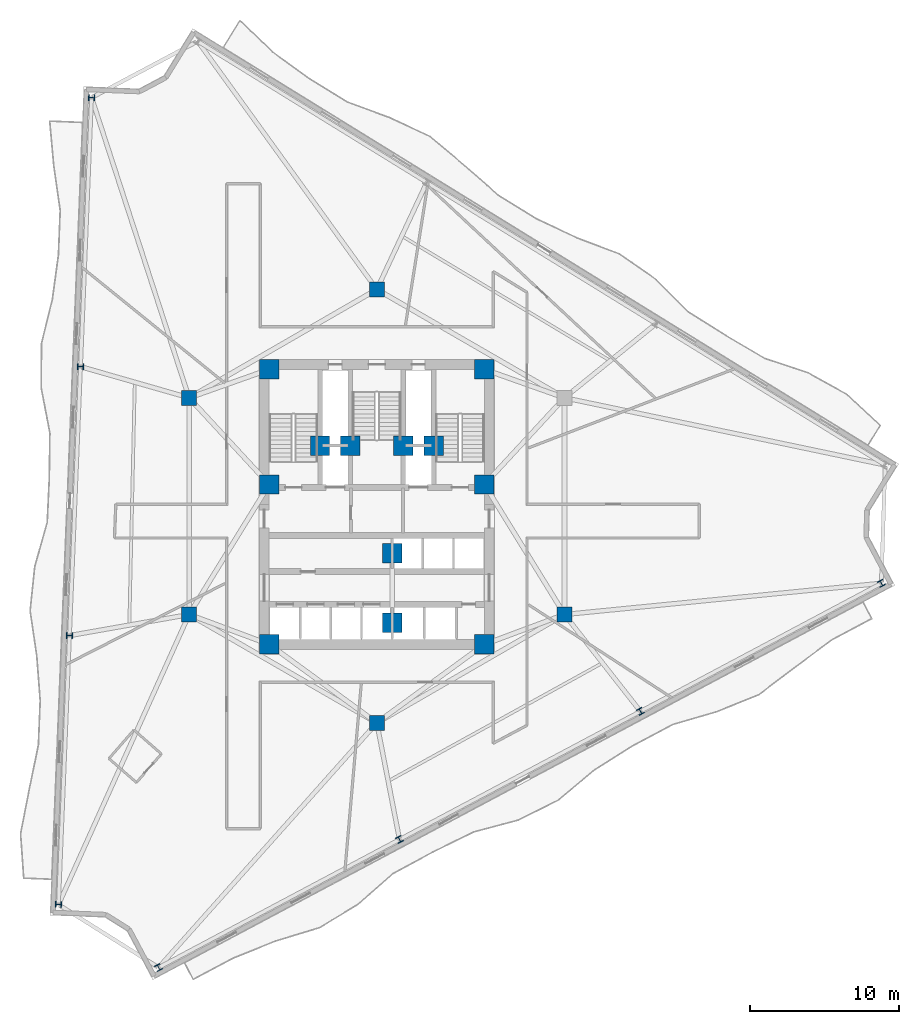
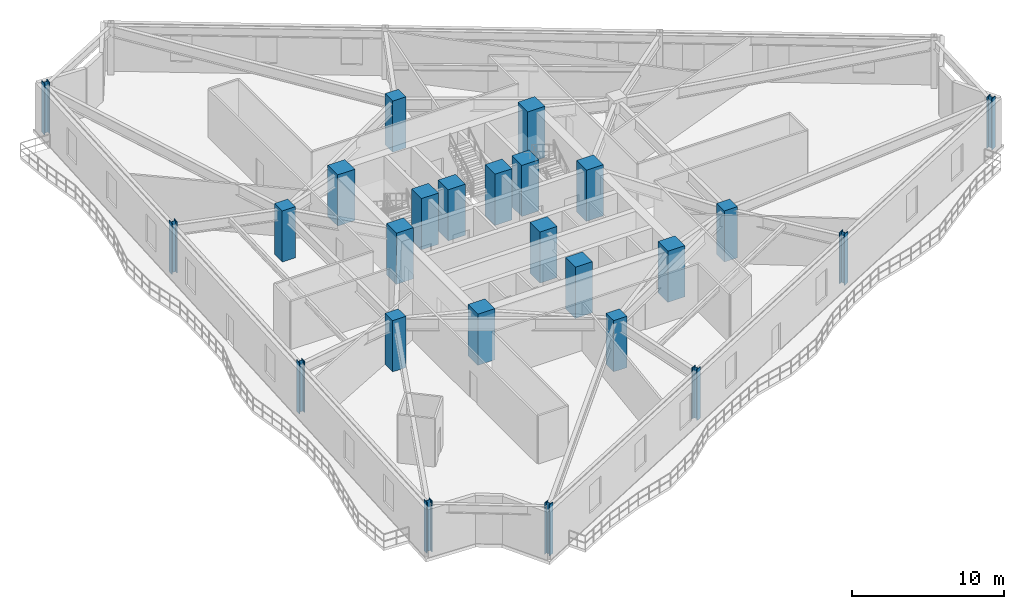
# One storey, part 1 of 12: 25 columns.
"""IFC4 building model written with IfcOpenShell, lengths in metres."""

from ifc_helpers import new_model, si_unit, direction, frame, origin, origin_2d, place, context, subcontext, project, spatial, rectangle, i_section, extrude, material, material_profile, profile_set, type_object, element, save


model = new_model("IFC4")

# Units and contexts
model_context = context("Model", 3, precision=1e-05, world=origin(), true_north=direction((0.0, 1.0)))
body_context = subcontext(model_context, "Body", "Model", "MODEL_VIEW")
ifc_project = project(units=[si_unit("LENGTHUNIT", "METRE"), si_unit("AREAUNIT", "SQUARE_METRE"), si_unit("VOLUMEUNIT", "CUBIC_METRE"), si_unit("PLANEANGLEUNIT", "RADIAN"), si_unit("MASSUNIT", "GRAM", prefix="KILO")], contexts=[model_context])

# Site, building, storey
site_placement = place(None, origin())
site = spatial("IfcSite", under=ifc_project, at=site_placement, CompositionType="ELEMENT")
building_placement = place(site_placement, origin())
building = spatial("IfcBuilding", under=site, at=building_placement, Name="Apsidion Concourse Tower", CompositionType="ELEMENT")
storey_placement = place(building_placement, frame((0.0, 0.0, 181.89990234375)))
storey = spatial("IfcBuildingStorey", under=building, at=storey_placement, Name="L42", CompositionType="ELEMENT", Elevation=181.89990234375)

# Columns
ifc_material_1 = material(Name="Concrete C50/60", Category="concrete")
ifc_material_profile_1 = material_profile(ifc_material_1, rectangle(XDim=1.0, YDim=1.0, at=origin_2d()), Name="RC 1000x1000")
ifc_profile_set_1 = profile_set([ifc_material_profile_1], Name="Concrete C50/60")
column_type_1 = type_object("IfcColumnType", Name="COL-RC-1000", PredefinedType="COLUMN", material=ifc_profile_set_1)
for number, where, z_axis, x_axis, name in (
    (1, (-12.56005859375, -7.25, 0.0), (0.0, 0.0, 1.0), (1.0, 0.0, 0.0), "L42 Interior Spine Column IC1"),
    (2, (12.56005859375, -7.25, 0.0), (0.0, 0.0, 1.0), (1.0, 0.0, 0.0), "L42 Interior Spine Column IC2"),
    (3, (0.0, 14.5, 0.0), (0.0, 0.0, 1.0), (1.0, 0.0, 0.0), "L42 Interior Spine Column IC4"),
    (4, (-12.56005859375, 7.25, 0.0), (0.0, 0.0, 1.0), (1.0, 0.0, 0.0), "L42 Interior Spine Column IC5"),
    (5, (0.0, -14.5, 0.0), (0.0, 0.0, 1.0), (1.0, 0.0, 0.0), "L42 Interior Spine Column IC6"),
):
    element("IfcColumn", number, at=place(storey_placement, frame(where, z_axis=z_axis, x_axis=x_axis)), inside=storey, type_object=column_type_1, Name=name, PredefinedType="COLUMN", context=body_context, shape_type="SweptSolid", body=[
        extrude(rectangle(XDim=1.0, YDim=1.0, at=origin_2d()), origin(), (0.0, 0.0, 1.0), 4.10009765625),
    ])
ifc_material_profile_2 = material_profile(ifc_material_1, rectangle(XDim=1.300048828125, YDim=1.300048828125, at=origin_2d()), Name="RC 1300x1300")
ifc_profile_set_2 = profile_set([ifc_material_profile_2], Name="Concrete C50/60")
column_type_2 = type_object("IfcColumnType", Name="COL-RC-1300", PredefinedType="COLUMN", material=ifc_profile_set_2)
for number, where, z_axis, x_axis, name in (
    (6, (-7.199951171875, -9.25, 0.0), (0.0, 0.0, 1.0), (1.0, 0.0, 0.0), "L42 Core Super-Column SC1"),
    (7, (7.199951171875, -9.25, 0.0), (0.0, 0.0, 1.0), (1.0, 0.0, 0.0), "L42 Core Super-Column SC2"),
    (8, (7.199951171875, 1.449951171875, 0.0), (0.0, 0.0, 1.0), (1.0, 0.0, 0.0), "L42 Core Super-Column SC3"),
    (9, (7.199951171875, 9.14990234375, 0.0), (0.0, 0.0, 1.0), (1.0, 0.0, 0.0), "L42 Core Super-Column SC4"),
    (10, (-7.199951171875, 9.14990234375, 0.0), (0.0, 0.0, 1.0), (1.0, 0.0, 0.0), "L42 Core Super-Column SC5"),
    (11, (-7.199951171875, 1.449951171875, 0.0), (0.0, 0.0, 1.0), (1.0, 0.0, 0.0), "L42 Core Super-Column SC6"),
    (12, (-3.800048828125, 4.050048828125, 0.0), (0.0, 0.0, 1.0), (1.0, 0.0, 0.0), "L42 Core Super-Column CC1"),
    (13, (3.800048828125, 4.050048828125, 0.0), (0.0, 0.0, 1.0), (1.0, 0.0, 0.0), "L42 Core Super-Column CC2"),
    (14, (-1.77490234375, 4.050048828125, 0.0), (0.0, 0.0, 1.0), (1.0, 0.0, 0.0), "L42 Core Super-Column CC3"),
    (15, (1.77490234375, 4.050048828125, 0.0), (0.0, 0.0, 1.0), (1.0, 0.0, 0.0), "L42 Core Super-Column CC4"),
    (16, (1.02490234375, -3.14990234375, 0.0), (0.0, 0.0, 1.0), (1.0, 0.0, 0.0), "L42 Core Super-Column CC5"),
    (17, (1.02490234375, -7.800048828125, 0.0), (0.0, 0.0, 1.0), (1.0, 0.0, 0.0), "L42 Core Super-Column CC6"),
):
    element("IfcColumn", number, at=place(storey_placement, frame(where, z_axis=z_axis, x_axis=x_axis)), inside=storey, type_object=column_type_2, Name=name, PredefinedType="COLUMN", context=body_context, shape_type="SweptSolid", body=[
        extrude(rectangle(XDim=1.300048828125, YDim=1.300048828125, at=origin_2d()), origin(), (0.0, 0.0, 1.0), 4.10009765625),
    ])
ifc_material_2 = material(Name="Structural steel ASTM A992 Grade 50", Category="steel")
ifc_material_profile_3 = material_profile(ifc_material_2, i_section(OverallWidth=0.406005859375, OverallDepth=0.4169921875, WebThickness=0.02978515625, FlangeThickness=0.048095703125, at=origin_2d()), Name="W14X257")
ifc_profile_set_3 = profile_set([ifc_material_profile_3], Name="Structural steel ASTM A992 Grade 50")
column_type_3 = type_object("IfcColumnType", Name="COL-W14-257", PredefinedType="COLUMN", material=ifc_profile_set_3)
for number, where, z_axis, x_axis, name in (
    (18, (-19.086181640625, 27.331298828125, 0.0), (0.0, 0.0, 1.0), (0.041003738744, 0.999158993058, 0.0), "L42 Rotated Perimeter Column PC01"),
    (19, (-19.82421875, 9.3349609375, 0.0), (0.0, 0.0, 1.0), (0.041003738744, 0.999158993058, 0.0), "L42 Rotated Perimeter Column PC02"),
    (20, (-20.56201171875, -8.661376953125, 0.0), (0.0, 0.0, 1.0), (0.041003738744, 0.999158993058, 0.0), "L42 Rotated Perimeter Column PC03"),
    (21, (-21.300048828125, -26.65771484375, 0.0), (0.0, 0.0, 1.0), (0.041003738744, 0.999158993058, 0.0), "L42 Rotated Perimeter Column PC04"),
    (22, (-14.599609375, -30.872802734375, 0.0), (0.0, 0.0, 1.0), (0.882947592859, 0.469471562786, 0.0), "L42 Rotated Perimeter Column PC05"),
    (23, (1.519775390625, -22.302001953125, 0.0), (0.0, 0.0, 1.0), (0.882947592859, 0.469471562786, 0.0), "L42 Rotated Perimeter Column PC06"),
    (24, (17.639404296875, -13.731201171875, 0.0), (0.0, 0.0, 1.0), (0.882947592859, 0.469471562786, 0.0), "L42 Rotated Perimeter Column PC07"),
    (25, (33.7587890625, -5.160400390625, 0.0), (0.0, 0.0, 1.0), (0.882947592859, 0.469471562786, 0.0), "L42 Rotated Perimeter Column PC08"),
):
    element("IfcColumn", number, at=place(storey_placement, frame(where, z_axis=z_axis, x_axis=x_axis)), inside=storey, type_object=column_type_3, Name=name, PredefinedType="COLUMN", context=body_context, shape_type="SweptSolid", body=[
        extrude(i_section(OverallWidth=0.406005859375, OverallDepth=0.4169921875, WebThickness=0.02978515625, FlangeThickness=0.048095703125, at=origin_2d()), origin(), (0.0, 0.0, 1.0), 4.10009765625),
    ])

save(model, "model.ifc")
